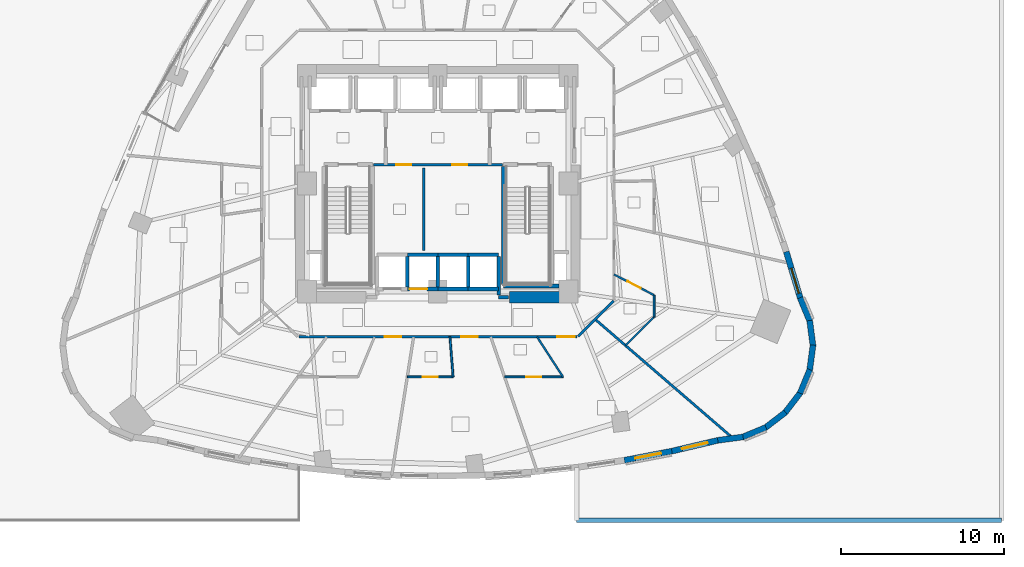
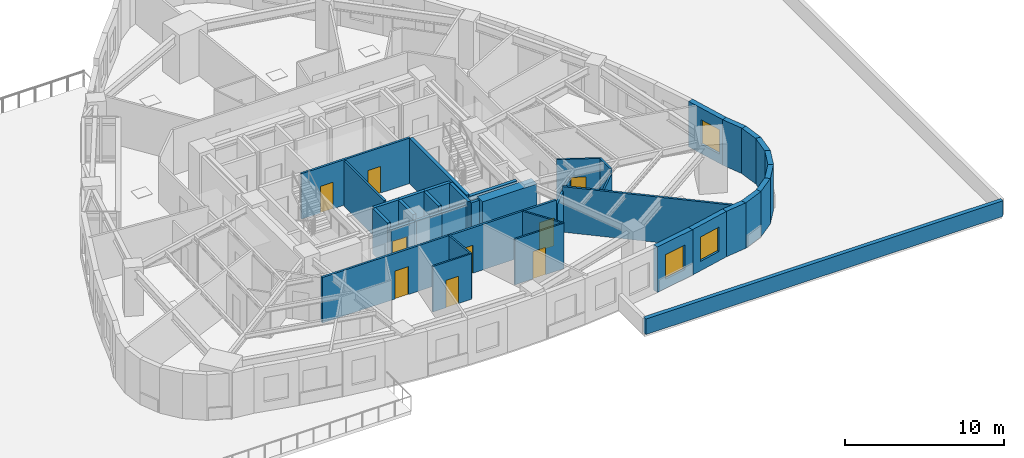
# One storey, part 9 of 15: 38 walls, 9 doors, 3 windows, 12 openings.
"""IFC4 building model written with IfcOpenShell, lengths in metres."""

from ifc_helpers import new_model, si_unit, direction, frame, frame_2d, origin, place, context, subcontext, project, spatial, rectangle, extrude, material, layer, layer_set, type_object, element, fill, save


model = new_model("IFC4")

# Units and contexts
model_context = context("Model", 3, precision=1e-05, world=origin(), true_north=direction((0.0, 1.0)))
body_context = subcontext(model_context, "Body", "Model", "MODEL_VIEW")
ifc_project = project(units=[si_unit("LENGTHUNIT", "METRE"), si_unit("AREAUNIT", "SQUARE_METRE"), si_unit("VOLUMEUNIT", "CUBIC_METRE"), si_unit("PLANEANGLEUNIT", "RADIAN"), si_unit("MASSUNIT", "GRAM", prefix="KILO")], contexts=[model_context])

# Site, building, storey
site_placement = place(None, origin())
site = spatial("IfcSite", under=ifc_project, at=site_placement, CompositionType="ELEMENT")
building_placement = place(site_placement, origin())
building = spatial("IfcBuilding", under=site, at=building_placement, Name="Ndelora Gate Hotel", CompositionType="ELEMENT")
storey_placement = place(building_placement, frame((0.0, 0.0, 30.5)))
storey = spatial("IfcBuildingStorey", under=building, at=storey_placement, Name="L06", CompositionType="ELEMENT", Elevation=30.5)

# Wall, opening, window
ifc_material_1 = material(Name="Clay Brick Masonry", Category="masonry")
ifc_layer_1 = layer(ifc_material_1, 0.360107421875)
ifc_layer_set_1 = layer_set([ifc_layer_1], Name="Clay Brick Masonry")
wall_type_1 = type_object("IfcWallType", Name="WL-BRICK-360", PredefinedType="SOLIDWALL", material=ifc_layer_set_1)
wall_1_placement = place(storey_placement, frame((14.319580078125, -16.371337890625, 0.0), z_axis=(0.0, 0.0, 1.0), x_axis=(-0.981984682903, -0.188960531711, 0.0)))
wall_1 = element("IfcWall", 1, at=wall_1_placement, inside=storey, type_object=wall_type_1, Name="L06 Tower Brick Pier-and-Spandrel Wall TWR-37", PredefinedType="SOLIDWALL", context=body_context, shape_type="SweptSolid", body=[
    extrude(rectangle(XDim=2.96142578125, YDim=0.360107421875, at=frame_2d((1.480712890625, 0.0))), origin(), (0.0, 0.0, 1.0), 3.5),
])
opening_1_placement = place(wall_1_placement, frame((0.6806640625, 0.0, 0.719970703125)))
opening_1 = element("IfcOpeningElement", 2, at=opening_1_placement, cuts=wall_1, Name="Opening W03", PredefinedType="OPENING", context=body_context, shape_type="SweptSolid", body=[
    extrude(rectangle(XDim=1.60009765625, YDim=1.8798828125, at=frame_2d((0.800048828125, 0.93994140625))), frame((0.0, 0.18994140625, 0.0), z_axis=(0.0, -1.0, 0.0), x_axis=(1.0, 0.0, 0.0)), (0.0, 0.0, 1.0), 0.380126953125),
])
ifc_material_2 = material(Name="Insulated Low-E Double Glazing in Bronze Aluminium Frame", Category="aluminium")
window_type_1 = type_object("IfcWindowType", Name="WN-CORN-2100", PartitioningType="SINGLE_PANEL", PredefinedType="WINDOW", material=ifc_material_2)
window_1_placement = place(opening_1_placement, origin())
window_1 = element("IfcWindow", 3, at=window_1_placement, inside=storey, type_object=window_type_1, Name="L06 Deep-Set Brick-Pier Window W03", OverallHeight=1.8798828125, OverallWidth=1.60009765625, PartitioningType="SINGLE_PANEL", PredefinedType="WINDOW", context=body_context, shape_type="SweptSolid", body=[
    extrude(rectangle(XDim=1.60009765625, YDim=1.8798828125, at=frame_2d((0.800048828125, 0.93994140625))), frame((0.0, 0.030029296875, 0.0), z_axis=(0.0, -1.0, 0.0), x_axis=(1.0, 0.0, 0.0)), (0.0, 0.0, 1.0), 0.06005859375),
])
fill(opening_1, window_1)

wall_2_placement = place(storey_placement, frame((17.178466796875, -15.6982421875, 0.0), z_axis=(0.0, 0.0, 1.0), x_axis=(-0.973460028485, -0.228857101575, 0.0)))
wall_2 = element("IfcWall", 4, at=wall_2_placement, inside=storey, type_object=wall_type_1, Name="L06 Tower Brick Pier-and-Spandrel Wall TWR-38", PredefinedType="SOLIDWALL", context=body_context, shape_type="SweptSolid", body=[
    extrude(rectangle(XDim=2.987060546875, YDim=0.360107421875, at=frame_2d((1.49365234375, 0.0))), origin(), (0.0, 0.0, 1.0), 3.5),
])
opening_2_placement = place(wall_2_placement, frame((0.693603515625, 0.0, 0.719970703125)))
opening_2 = element("IfcOpeningElement", 5, at=opening_2_placement, cuts=wall_2, Name="Opening W01", PredefinedType="OPENING", context=body_context, shape_type="SweptSolid", body=[
    extrude(rectangle(XDim=1.60009765625, YDim=1.8798828125, at=frame_2d((0.800048828125, 0.93994140625))), frame((0.0, 0.18994140625, 0.0), z_axis=(0.0, -1.0, 0.0), x_axis=(1.0, 0.0, 0.0)), (0.0, 0.0, 1.0), 0.380126953125),
])
window_type_2 = type_object("IfcWindowType", Name="WN-DEEP-1600", PartitioningType="SINGLE_PANEL", PredefinedType="WINDOW", material=ifc_material_2)
window_2_placement = place(opening_2_placement, origin())
window_2 = element("IfcWindow", 6, at=window_2_placement, inside=storey, type_object=window_type_2, Name="L06 Deep-Set Brick-Pier Window W01", OverallHeight=1.8798828125, OverallWidth=1.60009765625, PartitioningType="SINGLE_PANEL", PredefinedType="WINDOW", context=body_context, shape_type="SweptSolid", body=[
    extrude(rectangle(XDim=1.60009765625, YDim=1.8798828125, at=frame_2d((0.800048828125, 0.93994140625))), frame((0.0, 0.030029296875, 0.0), z_axis=(0.0, -1.0, 0.0), x_axis=(1.0, 0.0, 0.0)), (0.0, 0.0, 1.0), 0.06005859375),
])
fill(opening_2, window_2)

# Walls
for number, where, z_axis, x_axis, name in (
    (7, (18.68017578125, -15.5029296875, 0.0), (0.0, 0.0, 1.0), (-0.991429840604, -0.130640235609, 0.0), "L06 Tower Brick Pier-and-Spandrel Wall TWR-39"),
    (8, (20.0771484375, -14.917236328125, 0.0), (0.0, 0.0, 1.0), (-0.923864636245, -0.382719393153, 0.0), "L06 Tower Brick Pier-and-Spandrel Wall TWR-40"),
    (9, (21.275146484375, -13.989990234375, 0.0), (0.0, 0.0, 1.0), (-0.793377694402, -0.608729688799, 0.0), "L06 Tower Brick Pier-and-Spandrel Wall TWR-41"),
    (10, (22.1923828125, -12.7841796875, 0.0), (0.0, 0.0, 1.0), (-0.608903307772, -0.793244452729, 0.0), "L06 Tower Brick Pier-and-Spandrel Wall TWR-42"),
):
    element("IfcWall", number, at=place(storey_placement, frame(where, z_axis=z_axis, x_axis=x_axis)), inside=storey, type_object=wall_type_1, Name=name, PredefinedType="SOLIDWALL", context=body_context, shape_type="SweptSolid", body=[
        extrude(rectangle(XDim=1.564208984375, YDim=0.360107421875, at=frame_2d((0.7822265625, 0.0))), origin(), (0.0, 0.0, 1.0), 3.5),
    ])
wall_3_placement = place(storey_placement, frame((22.76611328125, -11.382080078125, 0.0), z_axis=(0.0, 0.0, 1.0), x_axis=(-0.382774588958, -0.923841768945, 0.0)))
element("IfcWall", 11, at=wall_3_placement, inside=storey, type_object=wall_type_1, Name="L06 Tower Brick Pier-and-Spandrel Wall TWR-43", PredefinedType="SOLIDWALL", context=body_context, shape_type="SweptSolid", body=[
    extrude(rectangle(XDim=1.56396484375, YDim=0.360107421875, at=frame_2d((0.781982421875, 0.0))), origin(), (0.0, 0.0, 1.0), 3.5),
])
for number, where, z_axis, x_axis, name in (
    (12, (22.95751953125, -9.879150390625, 0.0), (0.0, 0.0, 1.0), (-0.130640235609, -0.991429840604, 0.0), "L06 Tower Brick Pier-and-Spandrel Wall TWR-44"),
    (13, (22.753173828125, -8.3779296875, 0.0), (0.0, 0.0, 1.0), (0.130640235609, -0.991429840604, 0.0), "L06 Tower Brick Pier-and-Spandrel Wall TWR-45"),
    (14, (22.16748046875, -6.980712890625, 0.0), (0.0, 0.0, 1.0), (0.382719393153, -0.923864636245, 0.0), "L06 Tower Brick Pier-and-Spandrel Wall TWR-46"),
):
    element("IfcWall", number, at=place(storey_placement, frame(where, z_axis=z_axis, x_axis=x_axis)), inside=storey, type_object=wall_type_1, Name=name, PredefinedType="SOLIDWALL", context=body_context, shape_type="SweptSolid", body=[
        extrude(rectangle(XDim=1.564208984375, YDim=0.360107421875, at=frame_2d((0.7822265625, 0.0))), origin(), (0.0, 0.0, 1.0), 3.5),
    ])

# Wall, opening, window
wall_4_placement = place(storey_placement, frame((21.322509765625, -4.16796875, 0.0), z_axis=(0.0, 0.0, 1.0), x_axis=(0.288532480862, -0.957470107882, 0.0)))
wall_4 = element("IfcWall", 15, at=wall_4_placement, inside=storey, type_object=wall_type_1, Name="L06 Tower Brick Pier-and-Spandrel Wall TWR-47", PredefinedType="SOLIDWALL", context=body_context, shape_type="SweptSolid", body=[
    extrude(rectangle(XDim=2.98681640625, YDim=0.360107421875, at=frame_2d((1.493408203125, 0.0))), origin(), (0.0, 0.0, 1.0), 3.5),
])
opening_3_placement = place(wall_4_placement, frame((1.06005859375, 0.0, 0.719970703125)))
opening_3 = element("IfcOpeningElement", 16, at=opening_3_placement, cuts=wall_4, Name="Opening W01", PredefinedType="OPENING", context=body_context, shape_type="SweptSolid", body=[
    extrude(rectangle(XDim=1.60009765625, YDim=1.8798828125, at=frame_2d((0.800048828125, 0.93994140625))), frame((0.0, 0.18994140625, 0.0), z_axis=(0.0, -1.0, 0.0), x_axis=(1.0, 0.0, 0.0)), (0.0, 0.0, 1.0), 0.380126953125),
])
window_3_placement = place(opening_3_placement, origin())
window_3 = element("IfcWindow", 17, at=window_3_placement, inside=storey, type_object=window_type_2, Name="L06 Deep-Set Brick-Pier Window W01", OverallHeight=1.8798828125, OverallWidth=1.60009765625, PartitioningType="SINGLE_PANEL", PredefinedType="WINDOW", context=body_context, shape_type="SweptSolid", body=[
    extrude(rectangle(XDim=1.60009765625, YDim=1.8798828125, at=frame_2d((0.800048828125, 0.93994140625))), frame((0.0, 0.030029296875, 0.0), z_axis=(0.0, -1.0, 0.0), x_axis=(1.0, 0.0, 0.0)), (0.0, 0.0, 1.0), 0.06005859375),
])
fill(opening_3, window_3)

# Walls
ifc_material_3 = material(Name="Concrete C60/75", Category="concrete")
ifc_layer_2 = layer(ifc_material_3, 0.699951171875)
ifc_layer_set_2 = layer_set([ifc_layer_2], Name="Concrete C60/75")
wall_type_2 = type_object("IfcWallType", Name="WL-CORE-700", PredefinedType="SHEAR", material=ifc_layer_set_2)
wall_5_placement = place(storey_placement, frame((4.39990234375, -6.949951171875, 0.0), z_axis=(0.0, 0.0, 1.0), x_axis=(1.0, 0.0, 0.0)))
element("IfcWall", 18, at=wall_5_placement, inside=storey, type_object=wall_type_2, Name="L06 Core Shear Wall S-E", PredefinedType="SHEAR", context=body_context, shape_type="SweptSolid", body=[
    extrude(rectangle(XDim=3.9501953125, YDim=0.699951171875, at=frame_2d((1.97509765625, 0.0))), origin(), (0.0, 0.0, 1.0), 3.5),
])
ifc_material_4 = material(Name="Concrete C40/50", Category="concrete")
ifc_layer_3 = layer(ifc_material_4, 0.199951171875)
ifc_layer_set_3 = layer_set([ifc_layer_3], Name="Concrete C40/50")
wall_type_3 = type_object("IfcWallType", Name="WL-FIRE-200", PredefinedType="PARTITIONING", material=ifc_layer_set_3)
wall_6_placement = place(storey_placement, frame((3.719970703125, -6.949951171875, 0.0), z_axis=(0.0, 0.0, 1.0), x_axis=(1.0, 0.0, 0.0)))
element("IfcWall", 19, at=wall_6_placement, inside=storey, type_object=wall_type_3, Name="L06 Interior Wall IW-2", PredefinedType="PARTITIONING", context=body_context, shape_type="SweptSolid", body=[
    extrude(rectangle(XDim=0.60009765625, YDim=0.199951171875, at=frame_2d((0.300048828125, 0.0))), origin(), (0.0, 0.0, 1.0), 3.5),
])
ifc_material_5 = material(Name="Precast concrete C40/50", Category="concrete")
ifc_layer_4 = layer(ifc_material_5, 0.2900390625)
ifc_layer_set_4 = layer_set([ifc_layer_4], Name="Precast concrete C40/50")
wall_type_4 = type_object("IfcWallType", Name="WL-PARA-290", PredefinedType="PARAPET", material=ifc_layer_set_4)
wall_7_placement = place(storey_placement, frame((8.5, -20.60009765625, 0.0), z_axis=(0.0, 0.0, 1.0), x_axis=(1.0, 0.0, 0.0)))
element("IfcWall", 20, at=wall_7_placement, inside=storey, type_object=wall_type_4, Name="L06 East Podium Roof Parapet Wall 2", PredefinedType="PARAPET", context=body_context, shape_type="SweptSolid", body=[
    extrude(rectangle(XDim=26.0, YDim=0.2900390625, at=frame_2d((13.0, 0.0))), origin(), (0.0, 0.0, 1.0), 1.199951171875),
])

# Wall, openings, doors
ifc_material_6 = material(Name="Fire-Rated Gypsum Stud Partition", Category="gypsum")
ifc_layer_5 = layer(ifc_material_6, 0.14990234375)
ifc_layer_set_5 = layer_set([ifc_layer_5], Name="Fire-Rated Gypsum Stud Partition")
wall_type_5 = type_object("IfcWallType", Name="WL-PART-150", PredefinedType="PARTITIONING", material=ifc_layer_set_5)
wall_8_placement = place(storey_placement, frame((3.949951171875, 1.14990234375, 0.0), z_axis=(0.0, 0.0, 1.0), x_axis=(-1.0, 0.0, 0.0)))
wall_8 = element("IfcWall", 21, at=wall_8_placement, inside=storey, type_object=wall_type_5, Name="L06 Interior Wall IW-5", PredefinedType="PARTITIONING", context=body_context, shape_type="SweptSolid", body=[
    extrude(rectangle(XDim=7.89990234375, YDim=0.14990234375, at=frame_2d((3.949951171875, 0.0))), origin(), (0.0, 0.0, 1.0), 3.5),
])
opening_4_placement = place(wall_8_placement, frame((5.590087890625, 0.0, 0.0)))
opening_4 = element("IfcOpeningElement", 22, at=opening_4_placement, cuts=wall_8, Name="Opening D04", PredefinedType="OPENING", context=body_context, shape_type="SweptSolid", body=[
    extrude(rectangle(XDim=0.919921875, YDim=2.050048828125, at=frame_2d((0.4599609375, 1.02490234375))), frame((0.0, 0.0849609375, 0.0), z_axis=(0.0, -1.0, 0.0), x_axis=(1.0, 0.0, 0.0)), (0.0, 0.0, 1.0), 0.169921875),
])
opening_5_placement = place(wall_8_placement, frame((2.139892578125, 0.0, 0.0)))
opening_5 = element("IfcOpeningElement", 23, at=opening_5_placement, cuts=wall_8, Name="Opening D04", PredefinedType="OPENING", context=body_context, shape_type="SweptSolid", body=[
    extrude(rectangle(XDim=0.919921875, YDim=2.050048828125, at=frame_2d((0.4599609375, 1.02490234375))), frame((0.0, 0.0849609375, 0.0), z_axis=(0.0, -1.0, 0.0), x_axis=(1.0, 0.0, 0.0)), (0.0, 0.0, 1.0), 0.169921875),
])
ifc_material_7 = material(Name="Painted Steel Core Service Door", Category="steel")
door_type_1 = type_object("IfcDoorType", Name="DR-SER-920", OperationType="SINGLE_SWING_LEFT", PredefinedType="DOOR", material=ifc_material_7)
door_1_placement = place(opening_4_placement, origin())
door_1 = element("IfcDoor", 24, at=door_1_placement, inside=storey, type_object=door_type_1, Name="L06 Core Electrical Switchroom Door", OperationType="SINGLE_SWING_LEFT", OverallHeight=2.050048828125, OverallWidth=0.919921875, PredefinedType="DOOR", context=body_context, shape_type="SweptSolid", body=[
    extrude(rectangle(XDim=0.919921875, YDim=2.050048828125, at=frame_2d((0.4599609375, 1.02490234375))), frame((0.0, 0.02490234375, 0.0), z_axis=(0.0, -1.0, 0.0), x_axis=(1.0, 0.0, 0.0)), (0.0, 0.0, 1.0), 0.050048828125),
])
fill(opening_4, door_1)
door_2_placement = place(opening_5_placement, origin())
door_2 = element("IfcDoor", 25, at=door_2_placement, inside=storey, type_object=door_type_1, Name="L06 Central Linen Equipment Store Door", OperationType="SINGLE_SWING_RIGHT", OverallHeight=2.050048828125, OverallWidth=0.919921875, PredefinedType="DOOR", context=body_context, shape_type="SweptSolid", body=[
    extrude(rectangle(XDim=0.919921875, YDim=2.050048828125, at=frame_2d((0.4599609375, 1.02490234375))), frame((0.0, 0.02490234375, 0.0), z_axis=(0.0, -1.0, 0.0), x_axis=(1.0, 0.0, 0.0)), (0.0, 0.0, 1.0), 0.050048828125),
])
fill(opening_5, door_2)

# Wall
wall_9_placement = place(storey_placement, frame((-0.85009765625, -4.080078125, 0.0), z_axis=(0.0, 0.0, 1.0), x_axis=(0.0, 1.0, 0.0)))
element("IfcWall", 26, at=wall_9_placement, inside=storey, type_object=wall_type_5, Name="L06 Interior Wall IW-5", PredefinedType="PARTITIONING", context=body_context, shape_type="SweptSolid", body=[
    extrude(rectangle(XDim=5.030029296875, YDim=0.14990234375, at=frame_2d((2.51513671875, 0.0))), origin(), (0.0, 0.0, 1.0), 3.5),
])

# Wall, openings, doors
wall_10_placement = place(storey_placement, frame((8.510009765625, -9.3798828125, 0.0), z_axis=(0.0, 0.0, 1.0), x_axis=(-1.0, 0.0, 0.0)))
wall_10 = element("IfcWall", 27, at=wall_10_placement, inside=storey, type_object=wall_type_5, Name="L06 Interior Wall IW-5", PredefinedType="PARTITIONING", context=body_context, shape_type="SweptSolid", body=[
    extrude(rectangle(XDim=17.02001953125, YDim=0.14990234375, at=frame_2d((8.510009765625, 0.0))), origin(), (0.0, 0.0, 1.0), 3.5),
])
opening_6_placement = place(wall_10_placement, frame((6.0654296875, 0.0, 0.0)))
opening_6 = element("IfcOpeningElement", 28, at=opening_6_placement, cuts=wall_10, Name="Opening D01", PredefinedType="OPENING", context=body_context, shape_type="SweptSolid", body=[
    extrude(rectangle(XDim=1.0, YDim=2.14990234375, at=frame_2d((0.5, 1.074951171875))), frame((0.0, 0.0849609375, 0.0), z_axis=(0.0, -1.0, 0.0), x_axis=(1.0, 0.0, 0.0)), (0.0, 0.0, 1.0), 0.169921875),
])
opening_7_placement = place(wall_10_placement, frame((10.745361328125, 0.0, 0.0)))
opening_7 = element("IfcOpeningElement", 29, at=opening_7_placement, cuts=wall_10, Name="Opening D01", PredefinedType="OPENING", context=body_context, shape_type="SweptSolid", body=[
    extrude(rectangle(XDim=1.0, YDim=2.14990234375, at=frame_2d((0.5, 1.074951171875))), frame((0.0, 0.0849609375, 0.0), z_axis=(0.0, -1.0, 0.0), x_axis=(1.0, 0.0, 0.0)), (0.0, 0.0, 1.0), 0.169921875),
])
opening_8_placement = place(wall_10_placement, frame((0.139892578125, 0.0, 0.0)))
opening_8 = element("IfcOpeningElement", 30, at=opening_8_placement, cuts=wall_10, Name="Opening D07", PredefinedType="OPENING", context=body_context, shape_type="SweptSolid", body=[
    extrude(rectangle(XDim=1.06005859375, YDim=2.14990234375, at=frame_2d((0.530029296875, 1.074951171875))), frame((0.0, 0.0849609375, 0.0), z_axis=(0.0, -1.0, 0.0), x_axis=(1.0, 0.0, 0.0)), (0.0, 0.0, 1.0), 0.169921875),
])
ifc_material_8 = material(Name="Acoustic Hardwood Guest Entrance Door", Category="wood")
door_type_2 = type_object("IfcDoorType", Name="DR-COR-1000", OperationType="SINGLE_SWING_LEFT", PredefinedType="DOOR", material=ifc_material_8)
door_3_placement = place(opening_6_placement, origin())
door_3 = element("IfcDoor", 31, at=door_3_placement, inside=storey, type_object=door_type_2, Name="L06 Executive King Guest Room 907 Entrance Door", OperationType="SINGLE_SWING_LEFT", OverallHeight=2.14990234375, OverallWidth=1.0, PredefinedType="DOOR", context=body_context, shape_type="SweptSolid", body=[
    extrude(rectangle(XDim=1.0, YDim=2.14990234375, at=frame_2d((0.5, 1.074951171875))), frame((0.0, 0.02490234375, 0.0), z_axis=(0.0, -1.0, 0.0), x_axis=(1.0, 0.0, 0.0)), (0.0, 0.0, 1.0), 0.050048828125),
])
fill(opening_6, door_3)
door_4_placement = place(opening_7_placement, origin())
door_4 = element("IfcDoor", 32, at=door_4_placement, inside=storey, type_object=door_type_2, Name="L06 Superior Double Guest Room 906 Entrance Door", OperationType="SINGLE_SWING_RIGHT", OverallHeight=2.14990234375, OverallWidth=1.0, PredefinedType="DOOR", context=body_context, shape_type="SweptSolid", body=[
    extrude(rectangle(XDim=1.0, YDim=2.14990234375, at=frame_2d((0.5, 1.074951171875))), frame((0.0, 0.02490234375, 0.0), z_axis=(0.0, -1.0, 0.0), x_axis=(1.0, 0.0, 0.0)), (0.0, 0.0, 1.0), 0.050048828125),
])
fill(opening_7, door_4)
ifc_material_9 = material(Name="Diplomatic Suite Acoustic Entrance Door", Category="wood")
door_type_3 = type_object("IfcDoorType", Name="DR-SUITE-1060", OperationType="SINGLE_SWING_LEFT", PredefinedType="DOOR", material=ifc_material_9)
door_5_placement = place(opening_8_placement, origin())
door_5 = element("IfcDoor", 33, at=door_5_placement, inside=storey, type_object=door_type_3, Name="L06 Corner Junior Suite 908 Entrance Door", OperationType="SINGLE_SWING_LEFT", OverallHeight=2.14990234375, OverallWidth=1.06005859375, PredefinedType="DOOR", context=body_context, shape_type="SweptSolid", body=[
    extrude(rectangle(XDim=1.06005859375, YDim=2.14990234375, at=frame_2d((0.530029296875, 1.074951171875))), frame((0.0, 0.02490234375, 0.0), z_axis=(0.0, -1.0, 0.0), x_axis=(1.0, 0.0, 0.0)), (0.0, 0.0, 1.0), 0.050048828125),
])
fill(opening_8, door_5)

# Walls
wall_11_placement = place(storey_placement, frame((10.751708984375, -7.17822265625, 0.0), z_axis=(0.0, 0.0, 1.0), x_axis=(-0.707067066127, -0.707146494016, 0.0)))
element("IfcWall", 34, at=wall_11_placement, inside=storey, type_object=wall_type_5, Name="L06 Interior Wall IW-5", PredefinedType="PARTITIONING", context=body_context, shape_type="SweptSolid", body=[
    extrude(rectangle(XDim=3.07373046875, YDim=0.14990234375, at=frame_2d((1.536865234375, 0.0))), origin(), (0.0, 0.0, 1.0), 3.1201171875),
])
wall_12_placement = place(storey_placement, frame((9.626708984375, -8.30322265625, 0.0), z_axis=(0.0, 0.0, 1.0), x_axis=(0.757238499589, -0.653138465212, 0.0)))
element("IfcWall", 35, at=wall_12_placement, inside=storey, type_object=wall_type_5, Name="L06 Interior Wall IW-5", PredefinedType="PARTITIONING", context=body_context, shape_type="SweptSolid", body=[
    extrude(rectangle(XDim=11.14697265625, YDim=0.14990234375, at=frame_2d((5.573486328125, 0.0))), origin(), (0.0, 0.0, 1.0), 3.5),
])
ifc_layer_6 = layer(ifc_material_4, 0.219970703125)
ifc_layer_set_6 = layer_set([ifc_layer_6], Name="Concrete C40/50")
wall_type_6 = type_object("IfcWallType", Name="WL-SHAFT-220", PredefinedType="PARTITIONING", material=ifc_layer_set_6)
wall_13_placement = place(storey_placement, frame((-1.860107421875, -6.330078125, 0.0), z_axis=(0.0, 0.0, 1.0), x_axis=(0.0, 1.0, 0.0)))
element("IfcWall", 36, at=wall_13_placement, inside=storey, type_object=wall_type_6, Name="L06 Interior Wall IW-1", PredefinedType="PARTITIONING", context=body_context, shape_type="SweptSolid", body=[
    extrude(rectangle(XDim=1.860107421875, YDim=0.219970703125, at=frame_2d((0.93017578125, 0.0))), origin(), (0.0, 0.0, 1.0), 3.5),
])

# Wall, opening, door
wall_14_placement = place(storey_placement, frame((-1.860107421875, -6.449951171875, 0.0), z_axis=(0.0, 0.0, 1.0), x_axis=(1.0, 0.0, 0.0)))
wall_14 = element("IfcWall", 37, at=wall_14_placement, inside=storey, type_object=wall_type_6, Name="L06 Interior Wall IW-1", PredefinedType="PARTITIONING", context=body_context, shape_type="SweptSolid", body=[
    extrude(rectangle(XDim=1.860107421875, YDim=0.219970703125, at=frame_2d((0.93017578125, 0.0))), origin(), (0.0, 0.0, 1.0), 3.080078125),
])
opening_9_placement = place(wall_14_placement, frame((0.139892578125, 0.0, 0.0)))
opening_9 = element("IfcOpeningElement", 38, at=opening_9_placement, cuts=wall_14, Name="Opening LD1", PredefinedType="OPENING", context=body_context, shape_type="SweptSolid", body=[
    extrude(rectangle(XDim=1.06005859375, YDim=2.14990234375, at=frame_2d((0.530029296875, 1.074951171875))), frame((0.0, 0.1201171875, 0.0), z_axis=(0.0, -1.0, 0.0), x_axis=(1.0, 0.0, 0.0)), (0.0, 0.0, 1.0), 0.239990234375),
])
ifc_material_10 = material(Name="Brushed Bronze Stainless Lift Landing Door", Category="metal")
door_type_4 = type_object("IfcDoorType", Name="DR-LD1", OperationType="DOUBLE_DOOR_SLIDING", PredefinedType="DOOR", material=ifc_material_10)
door_6_placement = place(opening_9_placement, origin())
door_6 = element("IfcDoor", 39, at=door_6_placement, inside=storey, type_object=door_type_4, Name="L06 Lift Landing Sliding Door P1B", OperationType="DOUBLE_DOOR_SLIDING", OverallHeight=2.14990234375, OverallWidth=1.06005859375, PredefinedType="DOOR", context=body_context, shape_type="SweptSolid", body=[
    extrude(rectangle(XDim=1.06005859375, YDim=2.14990234375, at=frame_2d((0.530029296875, 1.074951171875))), frame((0.0, 0.02490234375, 0.0), z_axis=(0.0, -1.0, 0.0), x_axis=(1.0, 0.0, 0.0)), (0.0, 0.0, 1.0), 0.050048828125),
])
fill(opening_9, door_6)

# Walls
for number, where, z_axis, x_axis, name in (
    (40, (-1.860107421875, -4.35009765625, 0.0), (0.0, 0.0, 1.0), (1.0, 0.0, 0.0), "L06 Interior Wall IW-1"),
    (41, (0.0, -6.330078125, 0.0), (0.0, 0.0, 1.0), (0.0, 1.0, 0.0), "L06 Interior Wall IW-1"),
):
    element("IfcWall", number, at=place(storey_placement, frame(where, z_axis=z_axis, x_axis=x_axis)), inside=storey, type_object=wall_type_6, Name=name, PredefinedType="PARTITIONING", context=body_context, shape_type="SweptSolid", body=[
        extrude(rectangle(XDim=1.860107421875, YDim=0.219970703125, at=frame_2d((0.93017578125, 0.0))), origin(), (0.0, 0.0, 1.0), 3.5),
    ])
wall_15_placement = place(storey_placement, frame((0.0, -6.449951171875, 0.0), z_axis=(0.0, 0.0, 1.0), x_axis=(1.0, 0.0, 0.0)))
element("IfcWall", 42, at=wall_15_placement, inside=storey, type_object=wall_type_6, Name="L06 Interior Wall IW-1", PredefinedType="PARTITIONING", context=body_context, shape_type="SweptSolid", body=[
    extrude(rectangle(XDim=1.860107421875, YDim=0.219970703125, at=frame_2d((0.93017578125, 0.0))), origin(), (0.0, 0.0, 1.0), 3.080078125),
])
for number, where, z_axis, x_axis, name in (
    (43, (0.0, -4.35009765625, 0.0), (0.0, 0.0, 1.0), (1.0, 0.0, 0.0), "L06 Interior Wall IW-1"),
    (44, (1.860107421875, -6.330078125, 0.0), (0.0, 0.0, 1.0), (0.0, 1.0, 0.0), "L06 Interior Wall IW-1"),
):
    element("IfcWall", number, at=place(storey_placement, frame(where, z_axis=z_axis, x_axis=x_axis)), inside=storey, type_object=wall_type_6, Name=name, PredefinedType="PARTITIONING", context=body_context, shape_type="SweptSolid", body=[
        extrude(rectangle(XDim=1.860107421875, YDim=0.219970703125, at=frame_2d((0.93017578125, 0.0))), origin(), (0.0, 0.0, 1.0), 3.5),
    ])
wall_16_placement = place(storey_placement, frame((1.860107421875, -6.449951171875, 0.0), z_axis=(0.0, 0.0, 1.0), x_axis=(1.0, 0.0, 0.0)))
element("IfcWall", 45, at=wall_16_placement, inside=storey, type_object=wall_type_6, Name="L06 Interior Wall IW-1", PredefinedType="PARTITIONING", context=body_context, shape_type="SweptSolid", body=[
    extrude(rectangle(XDim=1.85986328125, YDim=0.219970703125, at=frame_2d((0.929931640625, 0.0))), origin(), (0.0, 0.0, 1.0), 3.080078125),
])
wall_17_placement = place(storey_placement, frame((1.860107421875, -4.35009765625, 0.0), z_axis=(0.0, 0.0, 1.0), x_axis=(1.0, 0.0, 0.0)))
element("IfcWall", 46, at=wall_17_placement, inside=storey, type_object=wall_type_6, Name="L06 Interior Wall IW-1", PredefinedType="PARTITIONING", context=body_context, shape_type="SweptSolid", body=[
    extrude(rectangle(XDim=1.85986328125, YDim=0.219970703125, at=frame_2d((0.929931640625, 0.0))), origin(), (0.0, 0.0, 1.0), 3.5),
])
wall_18_placement = place(storey_placement, frame((3.719970703125, -6.830078125, 0.0), z_axis=(0.0, 0.0, 1.0), x_axis=(0.0, 1.0, 0.0)))
element("IfcWall", 47, at=wall_18_placement, inside=storey, type_object=wall_type_6, Name="L06 Interior Wall IW-1", PredefinedType="PARTITIONING", context=body_context, shape_type="SweptSolid", body=[
    extrude(rectangle(XDim=2.360107421875, YDim=0.219970703125, at=frame_2d((1.18017578125, 0.0))), origin(), (0.0, 0.0, 1.0), 3.5),
])
ifc_material_11 = material(Name="Concrete C50/60", Category="concrete")
ifc_layer_7 = layer(ifc_material_11, 0.239990234375)
ifc_layer_set_7 = layer_set([ifc_layer_7], Name="Concrete C50/60")
wall_type_7 = type_object("IfcWallType", Name="WL-STAIR-240", PredefinedType="SHEAR", material=ifc_layer_set_7)
wall_19_placement = place(storey_placement, frame((4.010009765625, -6.159912109375, 0.0), z_axis=(0.0, 0.0, 1.0), x_axis=(0.0, 1.0, 0.0)))
element("IfcWall", 48, at=wall_19_placement, inside=storey, type_object=wall_type_7, Name="L06 Stair Core Shear Wall SW-ST", PredefinedType="SHEAR", context=body_context, shape_type="SweptSolid", body=[
    extrude(rectangle(XDim=7.219970703125, YDim=0.239990234375, at=frame_2d((3.60986328125, 0.0))), origin(), (0.0, 0.0, 1.0), 3.5),
])
wall_20_placement = place(storey_placement, frame((4.010009765625, -6.27001953125, 0.0), z_axis=(0.0, 0.0, 1.0), x_axis=(1.0, 0.0, 0.0)))
element("IfcWall", 49, at=wall_20_placement, inside=storey, type_object=wall_type_7, Name="L06 Stair Core Shear Wall SW-ST", PredefinedType="SHEAR", context=body_context, shape_type="SweptSolid", body=[
    extrude(rectangle(XDim=3.4150390625, YDim=0.239990234375, at=frame_2d((1.70751953125, 0.0))), origin(), (0.0, 0.0, 1.0), 3.5),
])
ifc_material_12 = material(Name="Moisture-Resistant Bathroom Tile Partition", Category="gypsum")
ifc_layer_8 = layer(ifc_material_12, 0.1201171875)
ifc_layer_set_8 = layer_set([ifc_layer_8], Name="Moisture-Resistant Bathroom Tile Partition")
wall_type_8 = type_object("IfcWallType", Name="WL-WET-120", PredefinedType="PARTITIONING", material=ifc_layer_set_8)
wall_21_placement = place(storey_placement, frame((0.7412109375, -9.3798828125, 0.0), z_axis=(0.0, 0.0, 1.0), x_axis=(0.078770028052, -0.996892814038, 0.0)))
element("IfcWall", 50, at=wall_21_placement, inside=storey, type_object=wall_type_8, Name="L06 Interior Wall IW-7", PredefinedType="PARTITIONING", context=body_context, shape_type="SweptSolid", body=[
    extrude(rectangle(XDim=2.457763671875, YDim=0.1201171875, at=frame_2d((1.22900390625, 0.0))), origin(), (0.0, 0.0, 1.0), 3.5),
])

# Wall, opening, door
wall_22_placement = place(storey_placement, frame((0.934814453125, -11.830078125, 0.0), z_axis=(0.0, 0.0, 1.0), x_axis=(-1.0, 0.0, 0.0)))
wall_22 = element("IfcWall", 51, at=wall_22_placement, inside=storey, type_object=wall_type_8, Name="L06 Interior Wall IW-7", PredefinedType="PARTITIONING", context=body_context, shape_type="SweptSolid", body=[
    extrude(rectangle(XDim=2.8046875, YDim=0.1201171875, at=frame_2d((1.40234375, 0.0))), origin(), (0.0, 0.0, 1.0), 3.5),
])
opening_10_placement = place(wall_22_placement, frame((0.9423828125, 0.0, 0.0)))
opening_10 = element("IfcOpeningElement", 52, at=opening_10_placement, cuts=wall_22, Name="Opening D03", PredefinedType="OPENING", context=body_context, shape_type="SweptSolid", body=[
    extrude(rectangle(XDim=0.919921875, YDim=2.10009765625, at=frame_2d((0.4599609375, 1.050048828125))), frame((0.0, 0.070068359375, 0.0), z_axis=(0.0, -1.0, 0.0), x_axis=(1.0, 0.0, 0.0)), (0.0, 0.0, 1.0), 0.14013671875),
])
ifc_material_13 = material(Name="Moisture-Resistant Hardwood En-Suite Door", Category="wood")
door_type_5 = type_object("IfcDoorType", Name="DR-BATH-920", OperationType="SINGLE_SWING_LEFT", PredefinedType="DOOR", material=ifc_material_13)
door_7_placement = place(opening_10_placement, origin())
door_7 = element("IfcDoor", 53, at=door_7_placement, inside=storey, type_object=door_type_5, Name="L06 En-suite Bathroom 907 Door", OperationType="SINGLE_SWING_RIGHT", OverallHeight=2.10009765625, OverallWidth=0.919921875, PredefinedType="DOOR", context=body_context, shape_type="SweptSolid", body=[
    extrude(rectangle(XDim=0.919921875, YDim=2.10009765625, at=frame_2d((0.4599609375, 1.050048828125))), frame((0.0, 0.02490234375, 0.0), z_axis=(0.0, -1.0, 0.0), x_axis=(1.0, 0.0, 0.0)), (0.0, 0.0, 1.0), 0.050048828125),
])
fill(opening_10, door_7)

# Wall
wall_23_placement = place(storey_placement, frame((6.073974609375, -9.3798828125, 0.0), z_axis=(0.0, 0.0, 1.0), x_axis=(0.543494016026, -0.839413041681, 0.0)))
element("IfcWall", 54, at=wall_23_placement, inside=storey, type_object=wall_type_8, Name="L06 Interior Wall IW-7", PredefinedType="PARTITIONING", context=body_context, shape_type="SweptSolid", body=[
    extrude(rectangle(XDim=2.9189453125, YDim=0.1201171875, at=frame_2d((1.45947265625, 0.0))), origin(), (0.0, 0.0, 1.0), 3.5),
])

# Wall, opening, door
wall_24_placement = place(storey_placement, frame((7.660400390625, -11.830078125, 0.0), z_axis=(0.0, 0.0, 1.0), x_axis=(-1.0, 0.0, 0.0)))
wall_24 = element("IfcWall", 55, at=wall_24_placement, inside=storey, type_object=wall_type_8, Name="L06 Interior Wall IW-7", PredefinedType="PARTITIONING", context=body_context, shape_type="SweptSolid", body=[
    extrude(rectangle(XDim=3.577392578125, YDim=0.1201171875, at=frame_2d((1.78857421875, 0.0))), origin(), (0.0, 0.0, 1.0), 3.5),
])
opening_11_placement = place(wall_24_placement, frame((1.32861328125, 0.0, 0.0)))
opening_11 = element("IfcOpeningElement", 56, at=opening_11_placement, cuts=wall_24, Name="Opening D03", PredefinedType="OPENING", context=body_context, shape_type="SweptSolid", body=[
    extrude(rectangle(XDim=0.919921875, YDim=2.10009765625, at=frame_2d((0.4599609375, 1.050048828125))), frame((0.0, 0.070068359375, 0.0), z_axis=(0.0, -1.0, 0.0), x_axis=(1.0, 0.0, 0.0)), (0.0, 0.0, 1.0), 0.14013671875),
])
door_8_placement = place(opening_11_placement, origin())
door_8 = element("IfcDoor", 57, at=door_8_placement, inside=storey, type_object=door_type_5, Name="L06 En-suite Bathroom 908 Door", OperationType="SINGLE_SWING_LEFT", OverallHeight=2.10009765625, OverallWidth=0.919921875, PredefinedType="DOOR", context=body_context, shape_type="SweptSolid", body=[
    extrude(rectangle(XDim=0.919921875, YDim=2.10009765625, at=frame_2d((0.4599609375, 1.050048828125))), frame((0.0, 0.02490234375, 0.0), z_axis=(0.0, -1.0, 0.0), x_axis=(1.0, 0.0, 0.0)), (0.0, 0.0, 1.0), 0.050048828125),
])
fill(opening_11, door_8)

wall_25_placement = place(storey_placement, frame((10.780029296875, -5.558837890625, 0.0), z_axis=(0.0, 0.0, 1.0), x_axis=(0.888777799958, -0.458338327333, 0.0)))
wall_25 = element("IfcWall", 58, at=wall_25_placement, inside=storey, type_object=wall_type_8, Name="L06 Interior Wall IW-7", PredefinedType="PARTITIONING", context=body_context, shape_type="SweptSolid", body=[
    extrude(rectangle(XDim=2.756591796875, YDim=0.1201171875, at=frame_2d((1.37841796875, 0.0))), origin(), (0.0, 0.0, 1.0), 3.5),
])
opening_12_placement = place(wall_25_placement, frame((0.918212890625, 0.0, 0.0)))
opening_12 = element("IfcOpeningElement", 59, at=opening_12_placement, cuts=wall_25, Name="Opening D03", PredefinedType="OPENING", context=body_context, shape_type="SweptSolid", body=[
    extrude(rectangle(XDim=0.919921875, YDim=2.10009765625, at=frame_2d((0.4599609375, 1.050048828125))), frame((0.0, 0.070068359375, 0.0), z_axis=(0.0, -1.0, 0.0), x_axis=(1.0, 0.0, 0.0)), (0.0, 0.0, 1.0), 0.14013671875),
])
door_9_placement = place(opening_12_placement, origin())
door_9 = element("IfcDoor", 60, at=door_9_placement, inside=storey, type_object=door_type_5, Name="L06 En-suite Bathroom 909 Door", OperationType="SINGLE_SWING_RIGHT", OverallHeight=2.10009765625, OverallWidth=0.919921875, PredefinedType="DOOR", context=body_context, shape_type="SweptSolid", body=[
    extrude(rectangle(XDim=0.919921875, YDim=2.10009765625, at=frame_2d((0.4599609375, 1.050048828125))), frame((0.0, 0.02490234375, 0.0), z_axis=(0.0, -1.0, 0.0), x_axis=(1.0, 0.0, 0.0)), (0.0, 0.0, 1.0), 0.050048828125),
])
fill(opening_12, door_9)

# Walls
wall_26_placement = place(storey_placement, frame((13.22998046875, -6.822265625, 0.0), z_axis=(0.0, 0.0, 1.0), x_axis=(0.0, -1.0, 0.0)))
element("IfcWall", 61, at=wall_26_placement, inside=storey, type_object=wall_type_8, Name="L06 Interior Wall IW-7", PredefinedType="PARTITIONING", context=body_context, shape_type="SweptSolid", body=[
    extrude(rectangle(XDim=1.342529296875, YDim=0.1201171875, at=frame_2d((0.67138671875, 0.0))), origin(), (0.0, 0.0, 1.0), 3.5),
])
wall_27_placement = place(storey_placement, frame((13.22998046875, -8.164794921875, 0.0), z_axis=(0.0, 0.0, 1.0), x_axis=(-0.707106781187, -0.707106781187, 0.0)))
element("IfcWall", 62, at=wall_27_placement, inside=storey, type_object=wall_type_8, Name="L06 Interior Wall IW-7", PredefinedType="PARTITIONING", context=body_context, shape_type="SweptSolid", body=[
    extrude(rectangle(XDim=2.46484375, YDim=0.1201171875, at=frame_2d((1.232421875, 0.0))), origin(), (0.0, 0.0, 1.0), 3.1201171875),
])

save(model, "model.ifc")
